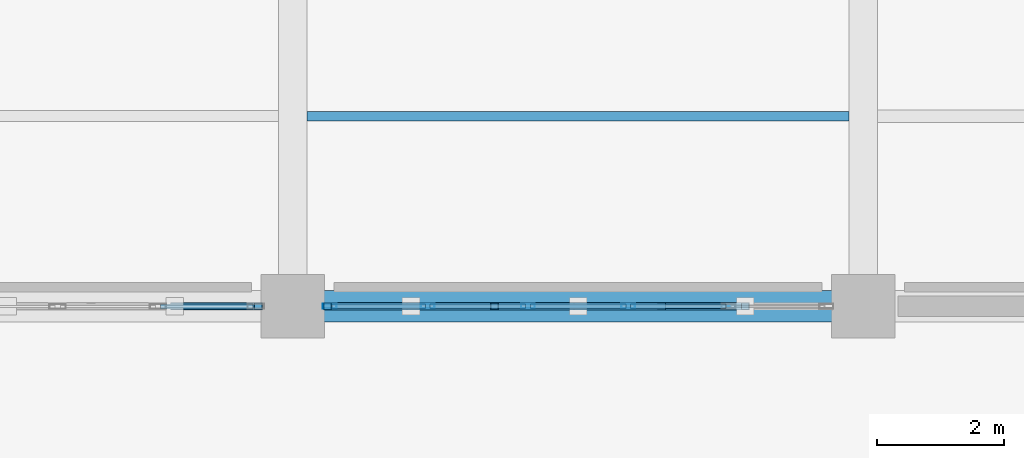
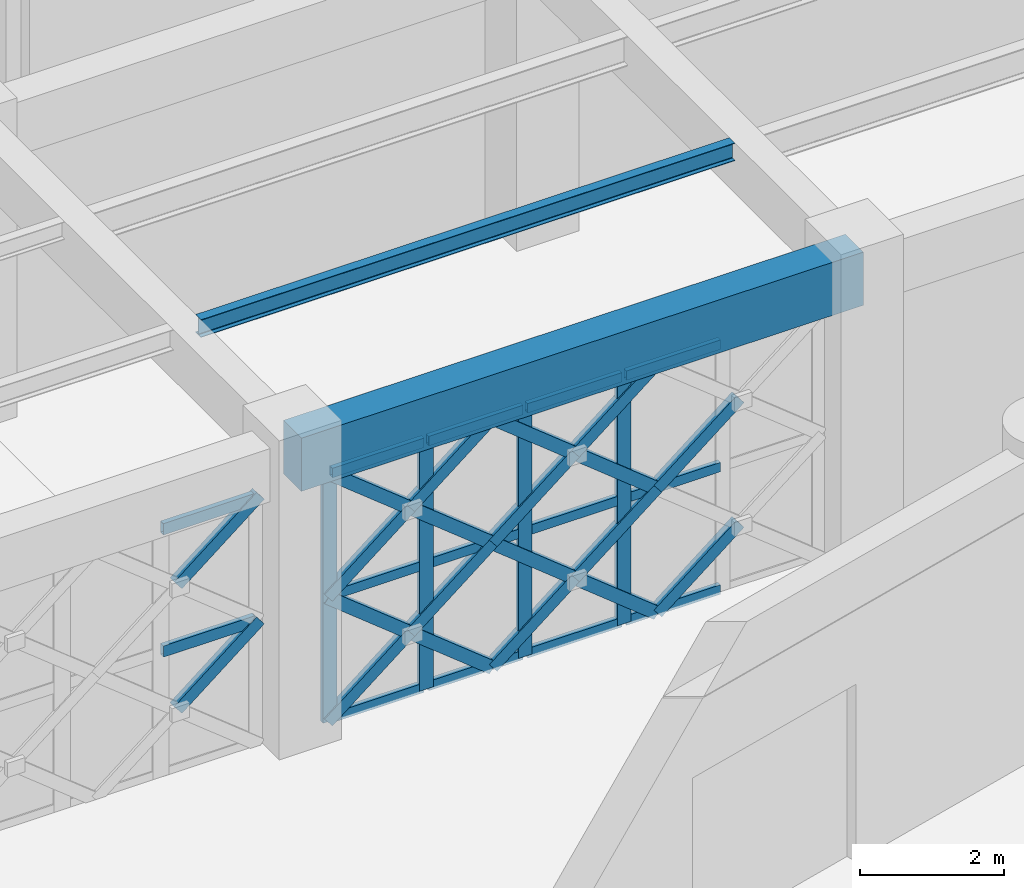
# One storey, part 55 of 140: 34 members, 2 beams, 2 elements without a shape of their own.
"""IFC4 building model written with IfcOpenShell, lengths in metres."""

from ifc_helpers import new_model, si_unit, direction, frame, origin, origin_2d, place, context, subcontext, project, spatial, rectangle, hollow_rectangle, i_section, extrude, material, material_profile, profile_set, type_object, element, aggregate, save


model = new_model("IFC4")

# Units and contexts
model_context = context("Model", 3, precision=1e-05, world=origin(), true_north=direction((0.0, 1.0)))
body_context = subcontext(model_context, "Body", "Model", "MODEL_VIEW")
ifc_project = project(units=[si_unit("LENGTHUNIT", "METRE"), si_unit("AREAUNIT", "SQUARE_METRE"), si_unit("VOLUMEUNIT", "CUBIC_METRE"), si_unit("PLANEANGLEUNIT", "RADIAN"), si_unit("MASSUNIT", "GRAM", prefix="KILO")], contexts=[model_context])

# Site, building, storey
site_placement = place(None, origin())
site = spatial("IfcSite", under=ifc_project, at=site_placement, CompositionType="ELEMENT")
building_placement = place(site_placement, origin())
building = spatial("IfcBuilding", under=site, at=building_placement, Name="Haizhuo Lancet Aquarium", CompositionType="ELEMENT")
storey_placement = place(building_placement, origin())
storey = spatial("IfcBuildingStorey", under=building, at=storey_placement, Name="L00", CompositionType="ELEMENT", Elevation=0.0)

# Beam
ifc_material_1 = material(Name="Concrete C40/50", Category="concrete")
ifc_material_profile_1 = material_profile(ifc_material_1, rectangle(XDim=0.5, YDim=0.89990234375, at=origin_2d()), Name="RC-BM 500x900")
ifc_profile_set_1 = profile_set([ifc_material_profile_1], Name="Concrete C40/50")
beam_type_1 = type_object("IfcBeamType", Name="BM-RC-500x900", PredefinedType="BEAM", material=ifc_profile_set_1)
beam_1_placement = place(storey_placement, frame((-9.0, 27.0, 4.669921875), z_axis=(1.0, 0.0, 0.0), x_axis=(0.0, 1.0, 0.0)))
element("IfcBeam", 1, at=beam_1_placement, inside=storey, type_object=beam_type_1, Name="L00 V5 primary girder BM-L00-V5-011", PredefinedType="BEAM", context=body_context, shape_type="SweptSolid", body=[
    extrude(rectangle(XDim=0.5, YDim=0.89990234375, at=origin_2d()), origin(), (0.0, 0.0, 1.0), 9.0),
])

# Curtain wall, members
ifc_material_2 = material(Name="Aluminium 6063-T6", Category="aluminium")
curtain_wall_type = type_object("IfcCurtainWallType", Name="CWO-7910x4220", PredefinedType="NOTDEFINED", material=ifc_material_2)
curtain_wall_1_placement = place(storey_placement, origin())
curtain_wall_1 = element("IfcCurtainWall", 2, at=curtain_wall_1_placement, inside=storey, type_object=curtain_wall_type, Name="L00 curtain wall CW-V5-L00-125", PredefinedType="NOTDEFINED")
ifc_material_profile_2 = material_profile(ifc_material_2, hollow_rectangle(XDim=0.074951171875, YDim=0.219970703125, WallThickness=0.0048828125, at=origin_2d()), Name="ALU-M 75x220x5")
ifc_profile_set_2 = profile_set([ifc_material_profile_2], Name="Aluminium 6063-T6")
member_type_1 = type_object("IfcMemberType", Name="CW-MUL-2", PredefinedType="MULLION", material=ifc_profile_set_2)
member_1_placement = place(storey_placement, frame((-3.708984375, 27.0, 0.0), z_axis=(0.0, 0.0, 1.0), x_axis=(0.0, -1.0, 0.0)))
member_1 = element("IfcMember", 3, at=member_1_placement, type_object=member_type_1, Name="CWO-79x42 mullion 3", PredefinedType="MULLION", context=body_context, shape_type="SweptSolid", body=[
    extrude(hollow_rectangle(XDim=0.074951171875, YDim=0.219970703125, WallThickness=0.0048828125, at=origin_2d()), origin(), (0.0, 0.0, 1.0), 4.219970703125),
])
member_2_placement = place(storey_placement, frame((-5.291015625, 27.0, 0.0), z_axis=(0.0, 0.0, 1.0), x_axis=(0.0, -1.0, 0.0)))
member_2 = element("IfcMember", 4, at=member_2_placement, type_object=member_type_1, Name="CWO-79x42 mullion 4", PredefinedType="MULLION", context=body_context, shape_type="SweptSolid", body=[
    extrude(hollow_rectangle(XDim=0.074951171875, YDim=0.219970703125, WallThickness=0.0048828125, at=origin_2d()), origin(), (0.0, 0.0, 1.0), 4.219970703125),
])
member_3_placement = place(storey_placement, frame((-6.873046875, 27.0, 0.0), z_axis=(0.0, 0.0, 1.0), x_axis=(0.0, -1.0, 0.0)))
member_3 = element("IfcMember", 5, at=member_3_placement, type_object=member_type_1, Name="CWO-79x42 mullion 5", PredefinedType="MULLION", context=body_context, shape_type="SweptSolid", body=[
    extrude(hollow_rectangle(XDim=0.074951171875, YDim=0.219970703125, WallThickness=0.0048828125, at=origin_2d()), origin(), (0.0, 0.0, 1.0), 4.219970703125),
])
member_4_placement = place(storey_placement, frame((-8.41796875, 27.0, 0.0), z_axis=(0.0, 0.0, 1.0), x_axis=(0.0, -1.0, 0.0)))
member_4 = element("IfcMember", 6, at=member_4_placement, type_object=member_type_1, Name="CWO-79x42 mullion 6", PredefinedType="MULLION", context=body_context, shape_type="SweptSolid", body=[
    extrude(hollow_rectangle(XDim=0.074951171875, YDim=0.219970703125, WallThickness=0.0048828125, at=origin_2d()), origin(), (0.0, 0.0, 1.0), 4.219970703125),
])
ifc_material_profile_3 = material_profile(ifc_material_2, hollow_rectangle(XDim=0.074951171875, YDim=0.159912109375, WallThickness=0.00390625, at=origin_2d()), Name="ALU-T 75x160x4")
ifc_profile_set_3 = profile_set([ifc_material_profile_3], Name="Aluminium 6063-T6")
member_type_2 = type_object("IfcMemberType", Name="CW-TRN-2", PredefinedType="NOTDEFINED", material=ifc_profile_set_3)
member_5_placement = place(storey_placement, frame((-2.1650390625, 27.0, 0.037109375), z_axis=(-1.0, 0.0, 0.0), x_axis=(0.0, -1.0, 0.0)))
member_5 = element("IfcMember", 7, at=member_5_placement, type_object=member_type_2, Name="CWO-79x42 transom 2.1", ObjectType="TRANSOM", PredefinedType="USERDEFINED", context=body_context, shape_type="SweptSolid", body=[
    extrude(hollow_rectangle(XDim=0.074951171875, YDim=0.159912109375, WallThickness=0.00390625, at=origin_2d()), origin(), (0.0, 0.0, 1.0), 1.505859375),
])
member_6_placement = place(storey_placement, frame((-2.1650390625, 27.0, 2.110107421875), z_axis=(-1.0, 0.0, 0.0), x_axis=(0.0, -1.0, 0.0)))
member_6 = element("IfcMember", 8, at=member_6_placement, type_object=member_type_2, Name="CWO-79x42 transom 2.2", ObjectType="TRANSOM", PredefinedType="USERDEFINED", context=body_context, shape_type="SweptSolid", body=[
    extrude(hollow_rectangle(XDim=0.074951171875, YDim=0.159912109375, WallThickness=0.00390625, at=origin_2d()), origin(), (0.0, 0.0, 1.0), 1.505859375),
])
member_7_placement = place(storey_placement, frame((-2.1650390625, 27.0, 4.18310546875), z_axis=(-1.0, 0.0, 0.0), x_axis=(0.0, -1.0, 0.0)))
member_7 = element("IfcMember", 9, at=member_7_placement, type_object=member_type_2, Name="CWO-79x42 transom 2.3", ObjectType="TRANSOM", PredefinedType="USERDEFINED", context=body_context, shape_type="SweptSolid", body=[
    extrude(hollow_rectangle(XDim=0.074951171875, YDim=0.159912109375, WallThickness=0.00390625, at=origin_2d()), origin(), (0.0, 0.0, 1.0), 1.505859375),
])
member_8_placement = place(storey_placement, frame((-3.7470703125, 27.0, 0.037109375), z_axis=(-1.0, 0.0, 0.0), x_axis=(0.0, -1.0, 0.0)))
member_8 = element("IfcMember", 10, at=member_8_placement, type_object=member_type_2, Name="CWO-79x42 transom 3.1", ObjectType="TRANSOM", PredefinedType="USERDEFINED", context=body_context, shape_type="SweptSolid", body=[
    extrude(hollow_rectangle(XDim=0.074951171875, YDim=0.159912109375, WallThickness=0.00390625, at=origin_2d()), origin(), (0.0, 0.0, 1.0), 1.5068359375),
])
member_9_placement = place(storey_placement, frame((-3.7470703125, 27.0, 2.110107421875), z_axis=(-1.0, 0.0, 0.0), x_axis=(0.0, -1.0, 0.0)))
member_9 = element("IfcMember", 11, at=member_9_placement, type_object=member_type_2, Name="CWO-79x42 transom 3.2", ObjectType="TRANSOM", PredefinedType="USERDEFINED", context=body_context, shape_type="SweptSolid", body=[
    extrude(hollow_rectangle(XDim=0.074951171875, YDim=0.159912109375, WallThickness=0.00390625, at=origin_2d()), origin(), (0.0, 0.0, 1.0), 1.5068359375),
])
member_10_placement = place(storey_placement, frame((-3.7470703125, 27.0, 4.18310546875), z_axis=(-1.0, 0.0, 0.0), x_axis=(0.0, -1.0, 0.0)))
member_10 = element("IfcMember", 12, at=member_10_placement, type_object=member_type_2, Name="CWO-79x42 transom 3.3", ObjectType="TRANSOM", PredefinedType="USERDEFINED", context=body_context, shape_type="SweptSolid", body=[
    extrude(hollow_rectangle(XDim=0.074951171875, YDim=0.159912109375, WallThickness=0.00390625, at=origin_2d()), origin(), (0.0, 0.0, 1.0), 1.5068359375),
])
member_11_placement = place(storey_placement, frame((-5.3291015625, 27.0, 0.037109375), z_axis=(-1.0, 0.0, 0.0), x_axis=(0.0, -1.0, 0.0)))
member_11 = element("IfcMember", 13, at=member_11_placement, type_object=member_type_2, Name="CWO-79x42 transom 4.1", ObjectType="TRANSOM", PredefinedType="USERDEFINED", context=body_context, shape_type="SweptSolid", body=[
    extrude(hollow_rectangle(XDim=0.074951171875, YDim=0.159912109375, WallThickness=0.00390625, at=origin_2d()), origin(), (0.0, 0.0, 1.0), 1.5068359375),
])
member_12_placement = place(storey_placement, frame((-5.3291015625, 27.0, 2.110107421875), z_axis=(-1.0, 0.0, 0.0), x_axis=(0.0, -1.0, 0.0)))
member_12 = element("IfcMember", 14, at=member_12_placement, type_object=member_type_2, Name="CWO-79x42 transom 4.2", ObjectType="TRANSOM", PredefinedType="USERDEFINED", context=body_context, shape_type="SweptSolid", body=[
    extrude(hollow_rectangle(XDim=0.074951171875, YDim=0.159912109375, WallThickness=0.00390625, at=origin_2d()), origin(), (0.0, 0.0, 1.0), 1.5068359375),
])
member_13_placement = place(storey_placement, frame((-5.3291015625, 27.0, 4.18310546875), z_axis=(-1.0, 0.0, 0.0), x_axis=(0.0, -1.0, 0.0)))
member_13 = element("IfcMember", 15, at=member_13_placement, type_object=member_type_2, Name="CWO-79x42 transom 4.3", ObjectType="TRANSOM", PredefinedType="USERDEFINED", context=body_context, shape_type="SweptSolid", body=[
    extrude(hollow_rectangle(XDim=0.074951171875, YDim=0.159912109375, WallThickness=0.00390625, at=origin_2d()), origin(), (0.0, 0.0, 1.0), 1.5068359375),
])
member_14_placement = place(storey_placement, frame((-6.909912109375, 27.0, 0.037109375), z_axis=(-1.0, 0.0, 0.0), x_axis=(0.0, -1.0, 0.0)))
member_14 = element("IfcMember", 16, at=member_14_placement, type_object=member_type_2, Name="CWO-79x42 transom 5.1", ObjectType="TRANSOM", PredefinedType="USERDEFINED", context=body_context, shape_type="SweptSolid", body=[
    extrude(hollow_rectangle(XDim=0.074951171875, YDim=0.159912109375, WallThickness=0.00390625, at=origin_2d()), origin(), (0.0, 0.0, 1.0), 1.469970703125),
])
member_15_placement = place(storey_placement, frame((-6.909912109375, 27.0, 2.110107421875), z_axis=(-1.0, 0.0, 0.0), x_axis=(0.0, -1.0, 0.0)))
member_15 = element("IfcMember", 17, at=member_15_placement, type_object=member_type_2, Name="CWO-79x42 transom 5.2", ObjectType="TRANSOM", PredefinedType="USERDEFINED", context=body_context, shape_type="SweptSolid", body=[
    extrude(hollow_rectangle(XDim=0.074951171875, YDim=0.159912109375, WallThickness=0.00390625, at=origin_2d()), origin(), (0.0, 0.0, 1.0), 1.469970703125),
])
member_16_placement = place(storey_placement, frame((-6.909912109375, 27.0, 4.18310546875), z_axis=(-1.0, 0.0, 0.0), x_axis=(0.0, -1.0, 0.0)))
member_16 = element("IfcMember", 18, at=member_16_placement, type_object=member_type_2, Name="CWO-79x42 transom 5.3", ObjectType="TRANSOM", PredefinedType="USERDEFINED", context=body_context, shape_type="SweptSolid", body=[
    extrude(hollow_rectangle(XDim=0.074951171875, YDim=0.159912109375, WallThickness=0.00390625, at=origin_2d()), origin(), (0.0, 0.0, 1.0), 1.469970703125),
])
aggregate(curtain_wall_1, [member_1, member_2, member_3, member_4, member_5, member_6, member_7, member_8, member_9, member_10, member_11, member_12, member_13, member_14, member_15, member_16])

curtain_wall_2_placement = place(storey_placement, origin())
curtain_wall_2 = element("IfcCurtainWall", 19, at=curtain_wall_2_placement, inside=storey, type_object=curtain_wall_type, Name="L00 curtain wall CW-V5-L00-126", PredefinedType="NOTDEFINED")
ifc_material_profile_4 = material_profile(ifc_material_2, hollow_rectangle(XDim=0.080078125, YDim=0.18994140625, WallThickness=0.0048828125, at=origin_2d()), Name="ALU-T 80x190x5")
ifc_profile_set_4 = profile_set([ifc_material_profile_4], Name="Aluminium 6063-T6")
member_type_3 = type_object("IfcMemberType", Name="CW-TRN-3", PredefinedType="NOTDEFINED", material=ifc_profile_set_4)
member_17_placement = place(storey_placement, frame((-9.625, 27.0, 2.110107421875), z_axis=(-1.0, 0.0, 0.0), x_axis=(0.0, -1.0, 0.0)))
member_17 = element("IfcMember", 20, at=member_17_placement, type_object=member_type_3, Name="CWO-79x42 transom 1.2", ObjectType="TRANSOM", PredefinedType="USERDEFINED", context=body_context, shape_type="SweptSolid", body=[
    extrude(hollow_rectangle(XDim=0.080078125, YDim=0.18994140625, WallThickness=0.0048828125, at=origin_2d()), origin(), (0.0, 0.0, 1.0), 1.4619140625),
])
member_18_placement = place(storey_placement, frame((-9.625, 27.0, 4.179931640625), z_axis=(-1.0, 0.0, 0.0), x_axis=(0.0, -1.0, 0.0)))
member_18 = element("IfcMember", 21, at=member_18_placement, type_object=member_type_3, Name="CWO-79x42 transom 1.3", ObjectType="TRANSOM", PredefinedType="USERDEFINED", context=body_context, shape_type="SweptSolid", body=[
    extrude(hollow_rectangle(XDim=0.080078125, YDim=0.18994140625, WallThickness=0.0048828125, at=origin_2d()), origin(), (0.0, 0.0, 1.0), 1.4619140625),
])
aggregate(curtain_wall_2, [member_17, member_18])

# Beam
ifc_material_3 = material(Name="Steel S355", Category="steel")
ifc_material_profile_5 = material_profile(ifc_material_3, i_section(OverallWidth=0.14990234375, OverallDepth=0.300048828125, WebThickness=0.006591796875, FlangeThickness=0.009033203125, FilletRadius=0.012939453125, at=origin_2d()), Name="HN 300x150x6.5x9")
ifc_profile_set_5 = profile_set([ifc_material_profile_5], Name="Steel S355")
beam_type_2 = type_object("IfcBeamType", Name="JST-ST-HN300", PredefinedType="JOIST", material=ifc_profile_set_5)
beam_2_placement = place(storey_placement, frame((-8.77490234375, 30.0, 4.969970703125), z_axis=(1.0, 0.0, 0.0), x_axis=(0.0, 1.0, 0.0)))
element("IfcBeam", 22, at=beam_2_placement, inside=storey, type_object=beam_type_2, Name="L00 V5 secondary floor joist 8", PredefinedType="JOIST", context=body_context, shape_type="SweptSolid", body=[
    extrude(i_section(OverallWidth=0.14990234375, OverallDepth=0.300048828125, WebThickness=0.006591796875, FlangeThickness=0.009033203125, FilletRadius=0.012939453125, at=origin_2d()), origin(), (0.0, 0.0, 1.0), 8.5498046875),
])

# Members
ifc_material_profile_6 = material_profile(ifc_material_3, hollow_rectangle(XDim=0.1201171875, YDim=0.199951171875, WallThickness=0.008056640625, at=origin_2d()), Name="RHS 120x200x8")
ifc_profile_set_6 = profile_set([ifc_material_profile_6], Name="Steel S355")
member_type_4 = type_object("IfcMemberType", Name="MEM-LB-RHS120x200", PredefinedType="BRACE", material=ifc_profile_set_6)
for number, where, z_axis, x_axis, name in (
    (23, (-3.181884765625, 27.0, 0.0), (0.780911117787, 0.0, 0.624642158452), (0.0, 1.0, 0.0), "Gothic lancet split diagonal brace CW-V5-L00-125 1B1"),
    (24, (-3.181884765625, 27.0, 2.110107421875), (0.780911117787, 0.0, 0.624642158452), (0.0, 1.0, 0.0), "Gothic lancet split diagonal brace CW-V5-L00-125 2B1"),
):
    element("IfcMember", number, at=place(storey_placement, frame(where, z_axis=z_axis, x_axis=x_axis)), inside=storey, type_object=member_type_4, Name=name, PredefinedType="BRACE", context=body_context, shape_type="SweptSolid", body=[
        extrude(hollow_rectangle(XDim=0.1201171875, YDim=0.199951171875, WallThickness=0.008056640625, at=origin_2d()), origin(), (0.0, 0.0, 1.0), 1.68896484375),
    ])
member_19_placement = place(storey_placement, frame((-3.181884765625, 27.0, 0.0), z_axis=(-0.780706546647, 0.0, 0.624897822066), x_axis=(0.0, -1.0, 0.0)))
element("IfcMember", 25, at=member_19_placement, inside=storey, type_object=member_type_4, Name="Gothic lancet continuous diagonal brace CW-V5-L00-125 3A", PredefinedType="BRACE", context=body_context, shape_type="SweptSolid", body=[
    extrude(hollow_rectangle(XDim=0.1201171875, YDim=0.199951171875, WallThickness=0.008056640625, at=origin_2d()), origin(), (0.0, 0.0, 1.0), 3.376708984375),
])
member_20_placement = place(storey_placement, frame((-5.818115234375, 27.0, 0.0), z_axis=(0.78074181991, 0.0, 0.624853751404), x_axis=(0.0, 1.0, 0.0)))
element("IfcMember", 26, at=member_20_placement, inside=storey, type_object=member_type_4, Name="Gothic lancet split diagonal brace CW-V5-L00-125 3B1", PredefinedType="BRACE", context=body_context, shape_type="SweptSolid", body=[
    extrude(hollow_rectangle(XDim=0.1201171875, YDim=0.199951171875, WallThickness=0.008056640625, at=origin_2d()), origin(), (0.0, 0.0, 1.0), 1.688232421875),
])
member_21_placement = place(storey_placement, frame((-4.5, 27.0, 1.054931640625), z_axis=(0.780671274084, 0.0, 0.624941886755), x_axis=(0.0, 1.0, 0.0)))
element("IfcMember", 27, at=member_21_placement, inside=storey, type_object=member_type_4, Name="Gothic lancet split diagonal brace CW-V5-L00-125 3B2", PredefinedType="BRACE", context=body_context, shape_type="SweptSolid", body=[
    extrude(hollow_rectangle(XDim=0.1201171875, YDim=0.199951171875, WallThickness=0.008056640625, at=origin_2d()), origin(), (0.0, 0.0, 1.0), 1.6884765625),
])
member_22_placement = place(storey_placement, frame((-3.181884765625, 27.0, 2.110107421875), z_axis=(-0.78074181991, 0.0, 0.624853751404), x_axis=(0.0, -1.0, 0.0)))
element("IfcMember", 28, at=member_22_placement, inside=storey, type_object=member_type_4, Name="Gothic lancet continuous diagonal brace CW-V5-L00-125 4A", PredefinedType="BRACE", context=body_context, shape_type="SweptSolid", body=[
    extrude(hollow_rectangle(XDim=0.1201171875, YDim=0.199951171875, WallThickness=0.008056640625, at=origin_2d()), origin(), (0.0, 0.0, 1.0), 3.37646484375),
])
for number, where, z_axis, x_axis, name in (
    (29, (-5.818115234375, 27.0, 2.110107421875), (0.78074181991, 0.0, 0.624853751404), (0.0, 1.0, 0.0), "Gothic lancet split diagonal brace CW-V5-L00-125 4B1"),
    (30, (-4.5, 27.0, 3.1650390625), (0.78074181991, 0.0, 0.624853751404), (0.0, 1.0, 0.0), "Gothic lancet split diagonal brace CW-V5-L00-125 4B2"),
):
    element("IfcMember", number, at=place(storey_placement, frame(where, z_axis=z_axis, x_axis=x_axis)), inside=storey, type_object=member_type_4, Name=name, PredefinedType="BRACE", context=body_context, shape_type="SweptSolid", body=[
        extrude(hollow_rectangle(XDim=0.1201171875, YDim=0.199951171875, WallThickness=0.008056640625, at=origin_2d()), origin(), (0.0, 0.0, 1.0), 1.688232421875),
    ])
member_23_placement = place(storey_placement, frame((-5.818115234375, 27.0, 0.0), z_axis=(-0.780791225208, 0.0, 0.624792015505), x_axis=(0.0, -1.0, 0.0)))
element("IfcMember", 31, at=member_23_placement, inside=storey, type_object=member_type_4, Name="Gothic lancet continuous diagonal brace CW-V5-L00-125 5A", PredefinedType="BRACE", context=body_context, shape_type="SweptSolid", body=[
    extrude(hollow_rectangle(XDim=0.1201171875, YDim=0.199951171875, WallThickness=0.008056640625, at=origin_2d()), origin(), (0.0, 0.0, 1.0), 3.377197265625),
])
member_24_placement = place(storey_placement, frame((-8.455078125, 27.0, 0.0), z_axis=(0.7809675122, 0.0, 0.624571649123), x_axis=(0.0, 1.0, 0.0)))
element("IfcMember", 32, at=member_24_placement, inside=storey, type_object=member_type_4, Name="Gothic lancet split diagonal brace CW-V5-L00-125 5B1", PredefinedType="BRACE", context=body_context, shape_type="SweptSolid", body=[
    extrude(hollow_rectangle(XDim=0.1201171875, YDim=0.199951171875, WallThickness=0.008056640625, at=origin_2d()), origin(), (0.0, 0.0, 1.0), 1.68896484375),
])
member_25_placement = place(storey_placement, frame((-7.135986328125, 27.0, 1.054931640625), z_axis=(0.780614792394, 0.0, 0.625012436593), x_axis=(0.0, 1.0, 0.0)))
element("IfcMember", 33, at=member_25_placement, inside=storey, type_object=member_type_4, Name="Gothic lancet split diagonal brace CW-V5-L00-125 5B2", PredefinedType="BRACE", context=body_context, shape_type="SweptSolid", body=[
    extrude(hollow_rectangle(XDim=0.1201171875, YDim=0.199951171875, WallThickness=0.008056640625, at=origin_2d()), origin(), (0.0, 0.0, 1.0), 1.688232421875),
])
member_26_placement = place(storey_placement, frame((-5.818115234375, 27.0, 2.110107421875), z_axis=(-0.780826490351, 0.0, 0.624747942747), x_axis=(0.0, -1.0, 0.0)))
element("IfcMember", 34, at=member_26_placement, inside=storey, type_object=member_type_4, Name="Gothic lancet continuous diagonal brace CW-V5-L00-125 6A", PredefinedType="BRACE", context=body_context, shape_type="SweptSolid", body=[
    extrude(hollow_rectangle(XDim=0.1201171875, YDim=0.199951171875, WallThickness=0.008056640625, at=origin_2d()), origin(), (0.0, 0.0, 1.0), 3.377197265625),
])
member_27_placement = place(storey_placement, frame((-8.455078125, 27.0, 2.110107421875), z_axis=(0.7809675122, 0.0, 0.624571649123), x_axis=(0.0, 1.0, 0.0)))
element("IfcMember", 35, at=member_27_placement, inside=storey, type_object=member_type_4, Name="Gothic lancet split diagonal brace CW-V5-L00-125 6B1", PredefinedType="BRACE", context=body_context, shape_type="SweptSolid", body=[
    extrude(hollow_rectangle(XDim=0.1201171875, YDim=0.199951171875, WallThickness=0.008056640625, at=origin_2d()), origin(), (0.0, 0.0, 1.0), 1.68896484375),
])
member_28_placement = place(storey_placement, frame((-7.135986328125, 27.0, 3.1650390625), z_axis=(0.780685349046, 0.0, 0.624924304044), x_axis=(0.0, 1.0, 0.0)))
element("IfcMember", 36, at=member_28_placement, inside=storey, type_object=member_type_4, Name="Gothic lancet split diagonal brace CW-V5-L00-125 6B2", PredefinedType="BRACE", context=body_context, shape_type="SweptSolid", body=[
    extrude(hollow_rectangle(XDim=0.1201171875, YDim=0.199951171875, WallThickness=0.008056640625, at=origin_2d()), origin(), (0.0, 0.0, 1.0), 1.68798828125),
])
member_29_placement = place(storey_placement, frame((-10.864013671875, 27.0, 1.054931640625), z_axis=(0.780897009674, 0.0, 0.624659795634), x_axis=(0.0, 1.0, 0.0)))
element("IfcMember", 37, at=member_29_placement, inside=storey, type_object=member_type_4, Name="Gothic lancet split diagonal brace CW-V5-L00-126 1B2", PredefinedType="BRACE", context=body_context, shape_type="SweptSolid", body=[
    extrude(hollow_rectangle(XDim=0.1201171875, YDim=0.199951171875, WallThickness=0.008056640625, at=origin_2d()), origin(), (0.0, 0.0, 1.0), 1.689208984375),
])
member_30_placement = place(storey_placement, frame((-10.864013671875, 27.0, 3.1650390625), z_axis=(0.7809675122, 0.0, 0.624571649123), x_axis=(0.0, 1.0, 0.0)))
element("IfcMember", 38, at=member_30_placement, inside=storey, type_object=member_type_4, Name="Gothic lancet split diagonal brace CW-V5-L00-126 2B2", PredefinedType="BRACE", context=body_context, shape_type="SweptSolid", body=[
    extrude(hollow_rectangle(XDim=0.1201171875, YDim=0.199951171875, WallThickness=0.008056640625, at=origin_2d()), origin(), (0.0, 0.0, 1.0), 1.68896484375),
])

save(model, "model.ifc")
